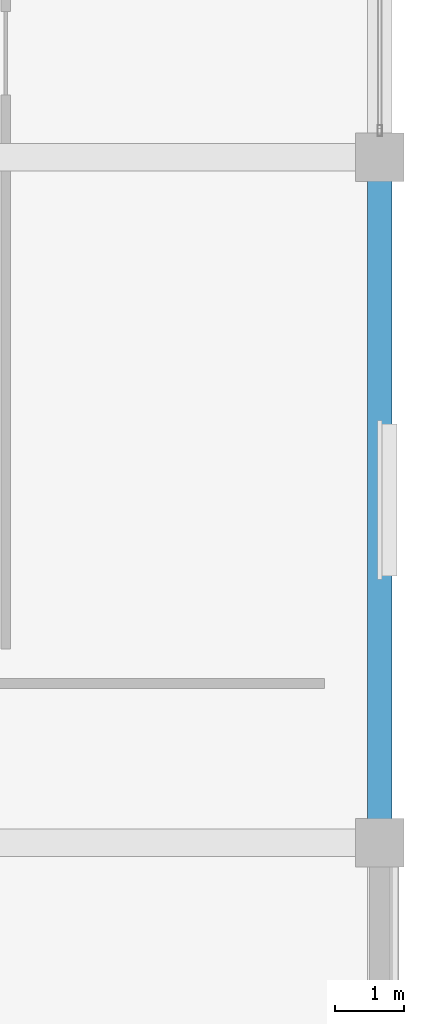
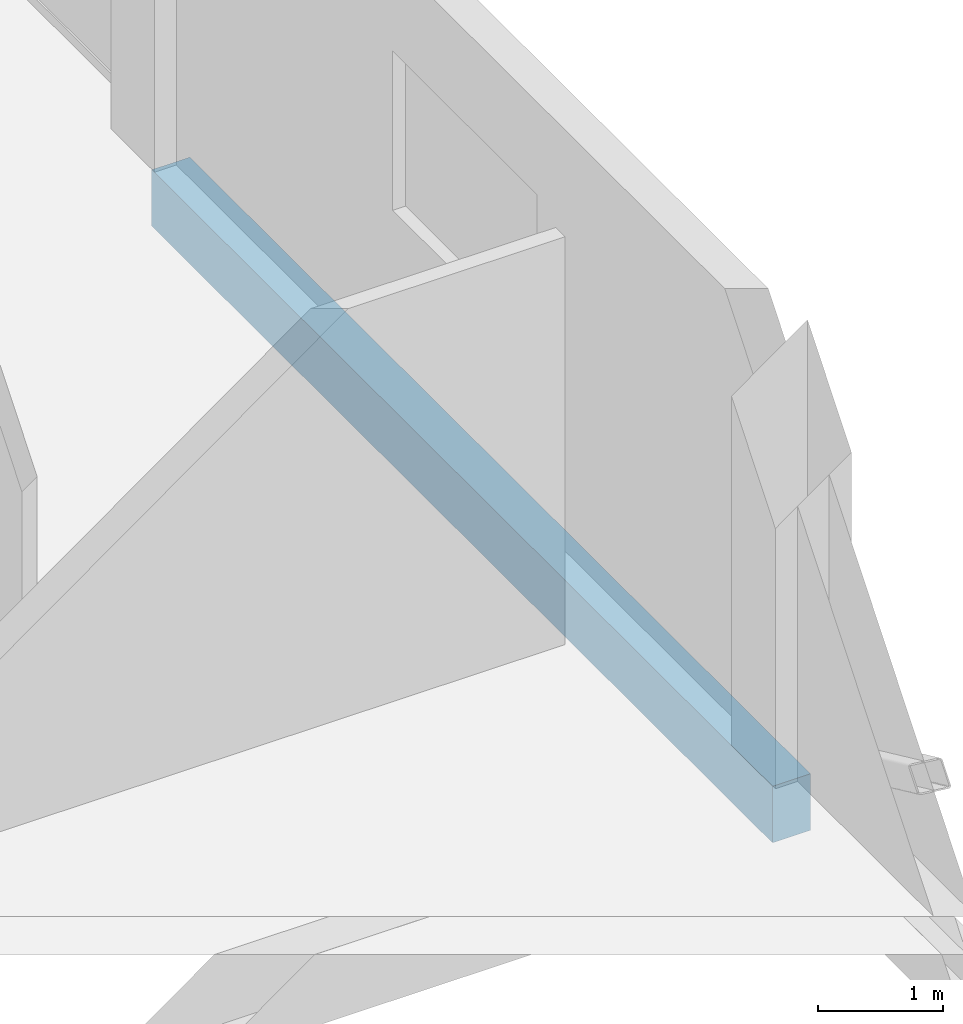
# One storey, part 14 of 67: 1 beam.
"""IFC4 building model written with IfcOpenShell, lengths in metres."""

from ifc_helpers import new_model, si_unit, direction, frame, origin, origin_2d, place, context, subcontext, project, spatial, rectangle, extrude, material, material_profile, profile_set, type_object, element, save


model = new_model("IFC4")

# Units and contexts
model_context = context("Model", 3, precision=1e-05, world=origin(), true_north=direction((0.0, 1.0)))
body_context = subcontext(model_context, "Body", "Model", "MODEL_VIEW")
ifc_project = project(units=[si_unit("LENGTHUNIT", "METRE"), si_unit("AREAUNIT", "SQUARE_METRE"), si_unit("VOLUMEUNIT", "CUBIC_METRE"), si_unit("PLANEANGLEUNIT", "RADIAN"), si_unit("MASSUNIT", "GRAM", prefix="KILO")], contexts=[model_context])

# Site, building, storey
site_placement = place(None, origin())
site = spatial("IfcSite", under=ifc_project, at=site_placement, CompositionType="ELEMENT")
building_placement = place(site_placement, origin())
building = spatial("IfcBuilding", under=site, at=building_placement, Name="Sillaruma Civic Art Gallery", CompositionType="ELEMENT")
storey_placement = place(building_placement, frame((0.0, 0.0, 46.919921875)))
storey = spatial("IfcBuildingStorey", under=building, at=storey_placement, Name="L09", CompositionType="ELEMENT", Elevation=46.919921875)

# Beam
ifc_material = material(Name="Concrete H35 (35 MPa)", Category="concrete")
ifc_material_profile = material_profile(ifc_material, rectangle(XDim=0.35009765625, YDim=0.550048828125, at=origin_2d()), Name="RCB350x550")
ifc_profile_set = profile_set([ifc_material_profile], Name="Concrete H35 (35 MPa)")
beam_type = type_object("IfcBeamType", Name="BM-SPANDREL-RCB350x550", PredefinedType="SPANDREL", material=ifc_profile_set)
beam_placement = place(storey_placement, frame((114.39990234375, 29.699951171875, -0.52490234375), z_axis=(0.0, 1.0, 0.0), x_axis=(-1.0, 0.0, 0.0)))
element("IfcBeam", 1, at=beam_placement, inside=storey, type_object=beam_type, Name="Beam BS-04 (L08:N:4-5)", PredefinedType="SPANDREL", context=body_context, shape_type="SweptSolid", body=[
    extrude(rectangle(XDim=0.35009765625, YDim=0.550048828125, at=origin_2d()), origin(), (0.0, 0.0, 1.0), 9.900146484375),
])

save(model, "model.ifc")
